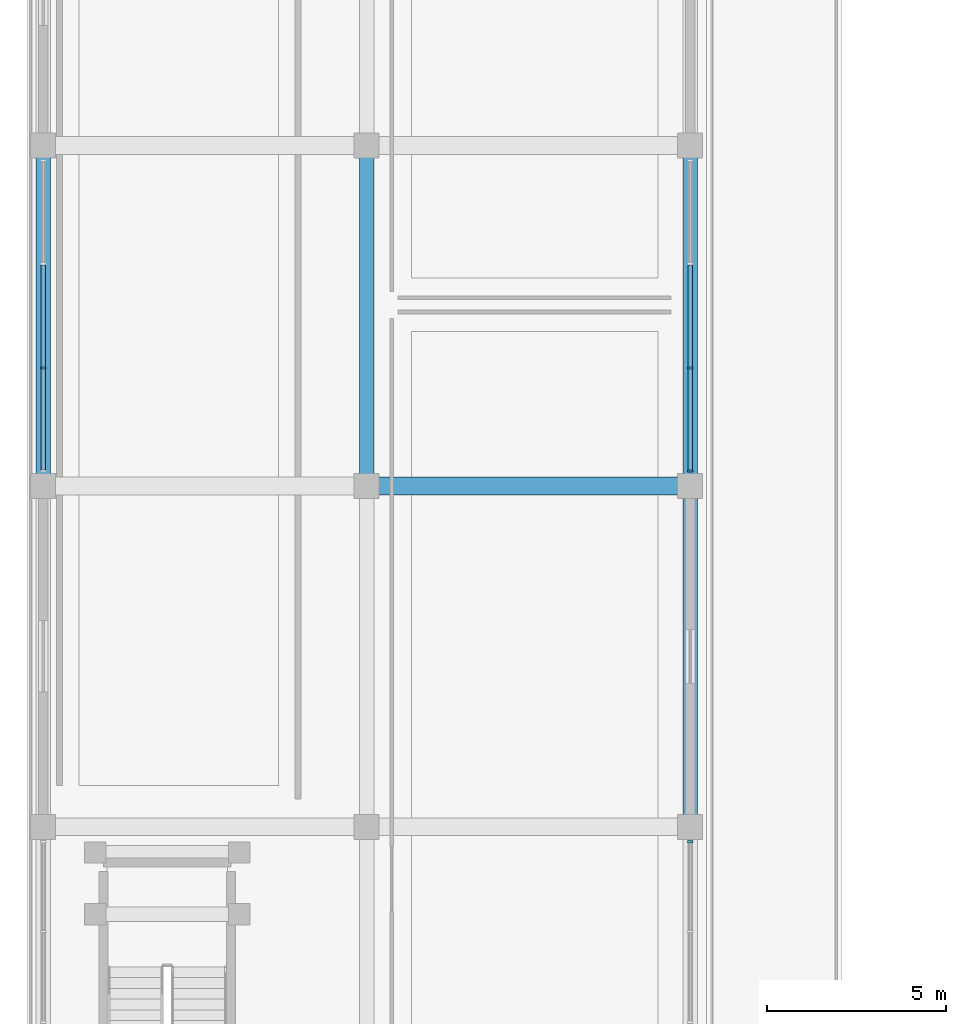
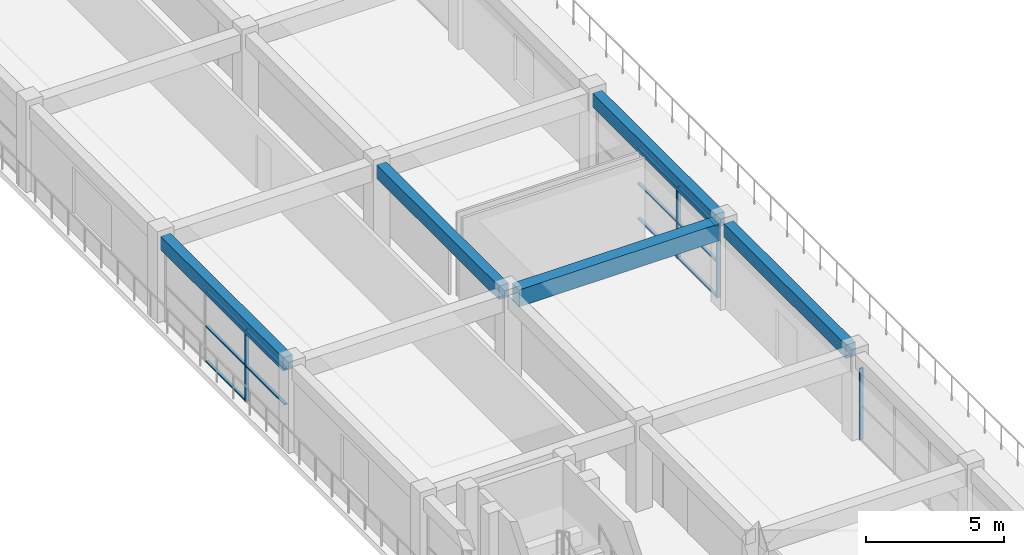
# One storey, part 30 of 70: 15 members, 5 beams, 3 elements without a shape of their own.
"""IFC4 building model written with IfcOpenShell, lengths in metres."""

from ifc_helpers import new_model, si_unit, direction, frame, origin, origin_2d, place, context, subcontext, project, spatial, rectangle, extrude, material, material_profile, profile_set, type_object, element, aggregate, save


model = new_model("IFC4")

# Units and contexts
model_context = context("Model", 3, precision=1e-05, world=origin(), true_north=direction((0.0, 1.0)))
body_context = subcontext(model_context, "Body", "Model", "MODEL_VIEW")
ifc_project = project(units=[si_unit("LENGTHUNIT", "METRE"), si_unit("AREAUNIT", "SQUARE_METRE"), si_unit("VOLUMEUNIT", "CUBIC_METRE"), si_unit("PLANEANGLEUNIT", "RADIAN"), si_unit("MASSUNIT", "GRAM", prefix="KILO")], contexts=[model_context])

# Site, building, storey
site_placement = place(None, origin())
site = spatial("IfcSite", under=ifc_project, at=site_placement, CompositionType="ELEMENT")
building_placement = place(site_placement, origin())
building = spatial("IfcBuilding", under=site, at=building_placement, Name="Saryqyr Civic Hall", CompositionType="ELEMENT")
storey_placement = place(building_placement, frame((0.0, 0.0, 13.199951171875)))
storey = spatial("IfcBuildingStorey", under=building, at=storey_placement, Name="L03", CompositionType="ELEMENT", Elevation=13.199951171875)

# Curtain wall, members
ifc_material_1 = material(Name="Anodised aluminium and triple low-E glass", Category="aluminium")
curtain_wall_type_1 = type_object("IfcCurtainWallType", Name="ENV-CW-STD-52", PredefinedType="NOTDEFINED", material=ifc_material_1)
curtain_wall_1_placement = place(storey_placement, origin())
curtain_wall_1 = element("IfcCurtainWall", 1, at=curtain_wall_1_placement, inside=storey, type_object=curtain_wall_type_1, Name="Curtain wall V3-CW-L03-1-3", PredefinedType="NOTDEFINED")
ifc_material_2 = material(Name="Anodised aluminium", Category="aluminium")
ifc_material_profile_1 = material_profile(ifc_material_2, rectangle(XDim=0.06005859375, YDim=0.159912109375, at=origin_2d()), Name="ALU MULLION 60x160")
ifc_profile_set_1 = profile_set([ifc_material_profile_1], Name="Anodised aluminium")
member_type_1 = type_object("IfcMemberType", Name="ENV-CW-MUL-180", PredefinedType="MULLION", material=ifc_profile_set_1)
member_1_placement = place(storey_placement, frame((26.14990234375, 130.436767578125, 0.0), z_axis=(0.0, 0.0, 1.0), x_axis=(0.0, -1.0, 0.0)))
member_1 = element("IfcMember", 2, at=member_1_placement, type_object=member_type_1, Name="CW-52 mullion 3", PredefinedType="MULLION", context=body_context, shape_type="SweptSolid", body=[
    extrude(rectangle(XDim=0.06005859375, YDim=0.159912109375, at=origin_2d()), origin(), (0.0, 0.0, 1.0), 3.1650390625),
])
member_2_placement = place(storey_placement, frame((26.14990234375, 127.550048828125, 0.0), z_axis=(0.0, 0.0, 1.0), x_axis=(0.0, -1.0, 0.0)))
member_2 = element("IfcMember", 3, at=member_2_placement, type_object=member_type_1, Name="CW-52 mullion 4", PredefinedType="MULLION", context=body_context, shape_type="SweptSolid", body=[
    extrude(rectangle(XDim=0.06005859375, YDim=0.159912109375, at=origin_2d()), origin(), (0.0, 0.0, 1.0), 3.1650390625),
])

# Curtain wall, member
curtain_wall_type_2 = type_object("IfcCurtainWallType", Name="ENV-CW-STD-53", PredefinedType="NOTDEFINED", material=ifc_material_1)
curtain_wall_2_placement = place(storey_placement, origin())
curtain_wall_2 = element("IfcCurtainWall", 4, at=curtain_wall_2_placement, inside=storey, type_object=curtain_wall_type_2, Name="Curtain wall V3-CW-L03-1-5", PredefinedType="NOTDEFINED")
member_3_placement = place(storey_placement, frame((26.14990234375, 117.179931640625, 0.0), z_axis=(0.0, 0.0, 1.0), x_axis=(0.0, -1.0, 0.0)))
member_3 = element("IfcMember", 5, at=member_3_placement, type_object=member_type_1, Name="CW-53 mullion 1", PredefinedType="MULLION", context=body_context, shape_type="SweptSolid", body=[
    extrude(rectangle(XDim=0.06005859375, YDim=0.159912109375, at=origin_2d()), origin(), (0.0, 0.0, 1.0), 3.1650390625),
])
aggregate(curtain_wall_2, [member_3])

curtain_wall_3_placement = place(storey_placement, origin())
curtain_wall_3 = element("IfcCurtainWall", 6, at=curtain_wall_3_placement, inside=storey, type_object=curtain_wall_type_1, Name="Curtain wall V3-CW-L03-3-3", PredefinedType="NOTDEFINED")
member_4_placement = place(storey_placement, frame((8.050048828125, 130.436767578125, 0.0), z_axis=(0.0, 0.0, 1.0), x_axis=(0.0, 1.0, 0.0)))
member_4 = element("IfcMember", 7, at=member_4_placement, type_object=member_type_1, Name="CW-52 mullion 2", PredefinedType="MULLION", context=body_context, shape_type="SweptSolid", body=[
    extrude(rectangle(XDim=0.06005859375, YDim=0.159912109375, at=origin_2d()), origin(), (0.0, 0.0, 1.0), 3.1650390625),
])

# Member
ifc_material_profile_2 = material_profile(ifc_material_2, rectangle(XDim=0.1201171875, YDim=0.06005859375, at=origin_2d()), Name="ALU TRANSOM 120x60")
ifc_profile_set_2 = profile_set([ifc_material_profile_2], Name="Anodised aluminium")
member_type_2 = type_object("IfcMemberType", Name="ENV-CW-TRN-150", PredefinedType="USERDEFINED", material=ifc_profile_set_2)
member_5_placement = place(storey_placement, frame((26.14990234375, 133.3232421875, 0.030029296875), z_axis=(0.0, -1.0, 0.0), x_axis=(1.0, 0.0, 0.0)))
member_5 = element("IfcMember", 8, at=member_5_placement, type_object=member_type_2, Name="CW-52 transom 2.1", ObjectType="TRANSOM", PredefinedType="USERDEFINED", context=body_context, shape_type="SweptSolid", body=[
    extrude(rectangle(XDim=0.1201171875, YDim=0.06005859375, at=origin_2d()), origin(), (0.0, 0.0, 1.0), 2.856689453125),
])

member_6_placement = place(storey_placement, frame((26.14990234375, 133.3232421875, 1.58203125), z_axis=(0.0, -1.0, 0.0), x_axis=(1.0, 0.0, 0.0)))
member_6 = element("IfcMember", 9, at=member_6_placement, type_object=member_type_2, Name="CW-52 transom 2.2", ObjectType="TRANSOM", PredefinedType="USERDEFINED", context=body_context, shape_type="SweptSolid", body=[
    extrude(rectangle(XDim=0.1201171875, YDim=0.06005859375, at=origin_2d()), origin(), (0.0, 0.0, 1.0), 2.856689453125),
])

member_7_placement = place(storey_placement, frame((26.14990234375, 133.3232421875, 3.135009765625), z_axis=(0.0, -1.0, 0.0), x_axis=(1.0, 0.0, 0.0)))
member_7 = element("IfcMember", 10, at=member_7_placement, type_object=member_type_2, Name="CW-52 transom 2.3", ObjectType="TRANSOM", PredefinedType="USERDEFINED", context=body_context, shape_type="SweptSolid", body=[
    extrude(rectangle(XDim=0.1201171875, YDim=0.06005859375, at=origin_2d()), origin(), (0.0, 0.0, 1.0), 2.856689453125),
])

member_8_placement = place(storey_placement, frame((26.14990234375, 130.40673828125, 0.030029296875), z_axis=(0.0, -1.0, 0.0), x_axis=(1.0, 0.0, 0.0)))
member_8 = element("IfcMember", 11, at=member_8_placement, type_object=member_type_2, Name="CW-52 transom 3.1", ObjectType="TRANSOM", PredefinedType="USERDEFINED", context=body_context, shape_type="SweptSolid", body=[
    extrude(rectangle(XDim=0.1201171875, YDim=0.06005859375, at=origin_2d()), origin(), (0.0, 0.0, 1.0), 2.82666015625),
])

member_9_placement = place(storey_placement, frame((26.14990234375, 130.40673828125, 1.58203125), z_axis=(0.0, -1.0, 0.0), x_axis=(1.0, 0.0, 0.0)))
member_9 = element("IfcMember", 12, at=member_9_placement, type_object=member_type_2, Name="CW-52 transom 3.2", ObjectType="TRANSOM", PredefinedType="USERDEFINED", context=body_context, shape_type="SweptSolid", body=[
    extrude(rectangle(XDim=0.1201171875, YDim=0.06005859375, at=origin_2d()), origin(), (0.0, 0.0, 1.0), 2.82666015625),
])

member_10_placement = place(storey_placement, frame((26.14990234375, 130.40673828125, 3.135009765625), z_axis=(0.0, -1.0, 0.0), x_axis=(1.0, 0.0, 0.0)))
member_10 = element("IfcMember", 13, at=member_10_placement, type_object=member_type_2, Name="CW-52 transom 3.3", ObjectType="TRANSOM", PredefinedType="USERDEFINED", context=body_context, shape_type="SweptSolid", body=[
    extrude(rectangle(XDim=0.1201171875, YDim=0.06005859375, at=origin_2d()), origin(), (0.0, 0.0, 1.0), 2.82666015625),
])

aggregate(curtain_wall_1, [member_1, member_2, member_5, member_6, member_7, member_8, member_9, member_10])

member_11_placement = place(storey_placement, frame((8.050048828125, 127.580078125, 1.58203125), z_axis=(0.0, 1.0, 0.0), x_axis=(-1.0, 0.0, 0.0)))
member_11 = element("IfcMember", 14, at=member_11_placement, type_object=member_type_2, Name="CW-52 transom 1.2", ObjectType="TRANSOM", PredefinedType="USERDEFINED", context=body_context, shape_type="SweptSolid", body=[
    extrude(rectangle(XDim=0.1201171875, YDim=0.06005859375, at=origin_2d()), origin(), (0.0, 0.0, 1.0), 2.82666015625),
])

member_12_placement = place(storey_placement, frame((8.050048828125, 127.580078125, 3.135009765625), z_axis=(0.0, 1.0, 0.0), x_axis=(-1.0, 0.0, 0.0)))
member_12 = element("IfcMember", 15, at=member_12_placement, type_object=member_type_2, Name="CW-52 transom 1.3", ObjectType="TRANSOM", PredefinedType="USERDEFINED", context=body_context, shape_type="SweptSolid", body=[
    extrude(rectangle(XDim=0.1201171875, YDim=0.06005859375, at=origin_2d()), origin(), (0.0, 0.0, 1.0), 2.82666015625),
])

member_13_placement = place(storey_placement, frame((8.050048828125, 130.466552734375, 0.030029296875), z_axis=(0.0, 1.0, 0.0), x_axis=(-1.0, 0.0, 0.0)))
member_13 = element("IfcMember", 16, at=member_13_placement, type_object=member_type_2, Name="CW-52 transom 2.1", ObjectType="TRANSOM", PredefinedType="USERDEFINED", context=body_context, shape_type="SweptSolid", body=[
    extrude(rectangle(XDim=0.1201171875, YDim=0.06005859375, at=origin_2d()), origin(), (0.0, 0.0, 1.0), 2.856689453125),
])

member_14_placement = place(storey_placement, frame((8.050048828125, 130.466552734375, 1.58203125), z_axis=(0.0, 1.0, 0.0), x_axis=(-1.0, 0.0, 0.0)))
member_14 = element("IfcMember", 17, at=member_14_placement, type_object=member_type_2, Name="CW-52 transom 2.2", ObjectType="TRANSOM", PredefinedType="USERDEFINED", context=body_context, shape_type="SweptSolid", body=[
    extrude(rectangle(XDim=0.1201171875, YDim=0.06005859375, at=origin_2d()), origin(), (0.0, 0.0, 1.0), 2.856689453125),
])

member_15_placement = place(storey_placement, frame((8.050048828125, 130.466552734375, 3.135009765625), z_axis=(0.0, 1.0, 0.0), x_axis=(-1.0, 0.0, 0.0)))
member_15 = element("IfcMember", 18, at=member_15_placement, type_object=member_type_2, Name="CW-52 transom 2.3", ObjectType="TRANSOM", PredefinedType="USERDEFINED", context=body_context, shape_type="SweptSolid", body=[
    extrude(rectangle(XDim=0.1201171875, YDim=0.06005859375, at=origin_2d()), origin(), (0.0, 0.0, 1.0), 2.856689453125),
])

aggregate(curtain_wall_3, [member_4, member_11, member_12, member_13, member_14, member_15])

# Beams
ifc_material_3 = material(Name="Concrete C35/45", Category="concrete")
ifc_material_profile_3 = material_profile(ifc_material_3, rectangle(XDim=0.39990234375, YDim=0.60009765625, at=origin_2d()), Name="RC 400x600")
ifc_profile_set_3 = profile_set([ifc_material_profile_3], Name="Concrete C35/45")
beam_type_1 = type_object("IfcBeamType", Name="STR-BM-RC400x600", PredefinedType="BEAM", material=ifc_profile_set_3)
for number, where, z_axis, x_axis, name in (
    (19, (8.050048828125, 127.455078125, 3.489990234375), (0.0, 1.0, 0.0), (-1.0, 0.0, 0.0), "Beam V3-BM-NS-1-4-L03"),
    (20, (17.10009765625, 127.455078125, 3.489990234375), (0.0, 1.0, 0.0), (-1.0, 0.0, 0.0), "Beam V3-BM-NS-2-4-L03"),
    (21, (26.14990234375, 117.925048828125, 3.489990234375), (0.0, 1.0, 0.0), (-1.0, 0.0, 0.0), "Beam V3-BM-NS-3-3-L03"),
    (22, (26.14990234375, 127.455078125, 3.489990234375), (0.0, 1.0, 0.0), (-1.0, 0.0, 0.0), "Beam V3-BM-NS-3-4-L03"),
):
    element("IfcBeam", number, at=place(storey_placement, frame(where, z_axis=z_axis, x_axis=x_axis)), inside=storey, type_object=beam_type_1, Name=name, PredefinedType="BEAM", context=body_context, shape_type="SweptSolid", body=[
        extrude(rectangle(XDim=0.39990234375, YDim=0.60009765625, at=origin_2d()), origin(), (0.0, 0.0, 1.0), 8.8798828125),
    ])
ifc_material_4 = material(Name="Concrete C40/50", Category="concrete")
ifc_material_profile_4 = material_profile(ifc_material_4, rectangle(XDim=0.5, YDim=0.75, at=origin_2d()), Name="RC 500x750")
ifc_profile_set_4 = profile_set([ifc_material_profile_4], Name="Concrete C40/50")
beam_type_2 = type_object("IfcBeamType", Name="STR-BM-RC500x750", PredefinedType="BEAM", material=ifc_profile_set_4)
beam_placement = place(storey_placement, frame((17.425048828125, 127.1298828125, 3.4150390625), z_axis=(1.0, 0.0, 0.0), x_axis=(0.0, 1.0, 0.0)))
element("IfcBeam", 23, at=beam_placement, inside=storey, type_object=beam_type_2, Name="Beam V3-BM-EW-4-2-L03", PredefinedType="BEAM", context=body_context, shape_type="SweptSolid", body=[
    extrude(rectangle(XDim=0.5, YDim=0.75, at=origin_2d()), origin(), (0.0, 0.0, 1.0), 8.39990234375),
])

save(model, "model.ifc")
